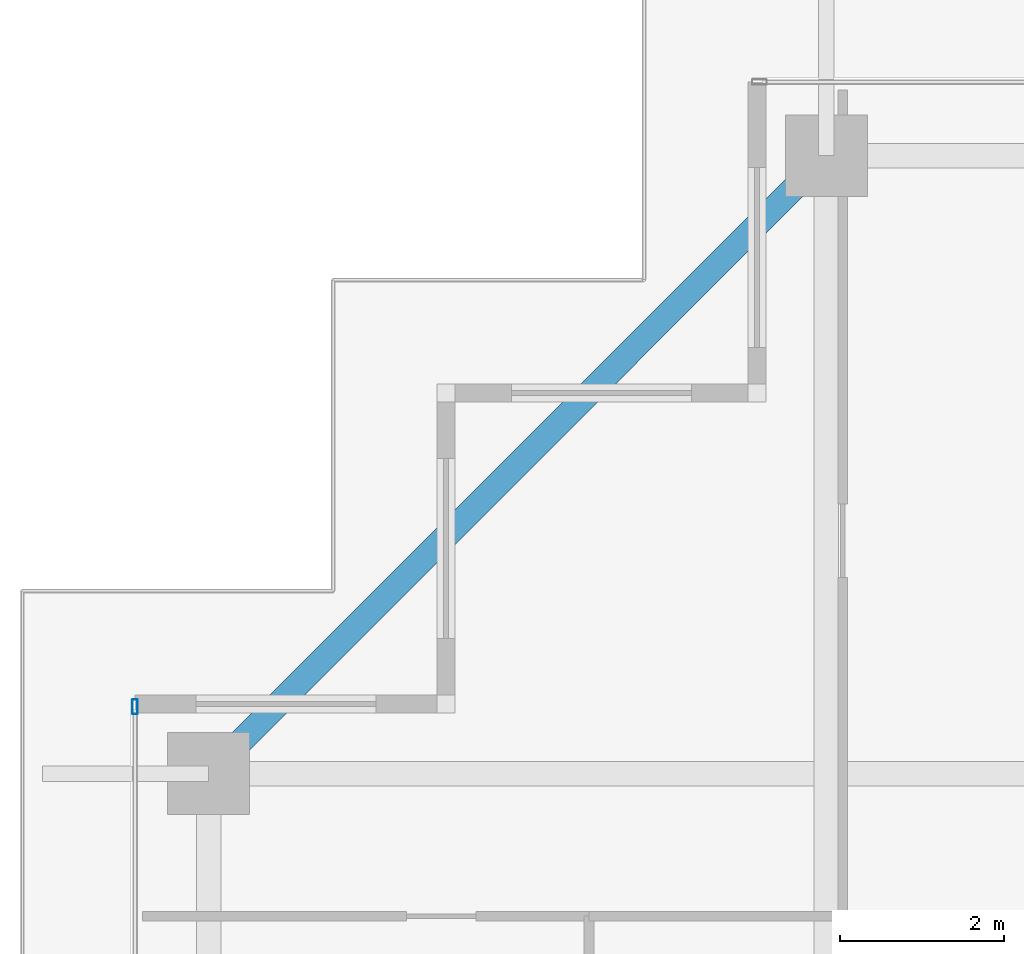
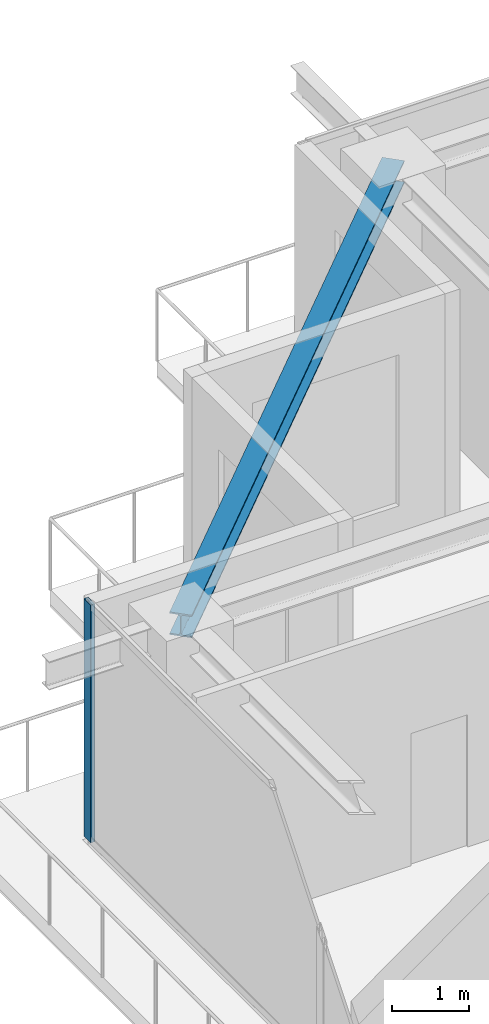
# One storey, part 21 of 42: 1 beam, 1 member, 1 element without a shape of its own.
"""IFC4 building model written with IfcOpenShell, lengths in metres."""

from ifc_helpers import new_model, si_unit, direction, frame, origin, origin_2d, place, context, subcontext, project, spatial, hollow_rectangle, i_section, extrude, source, transform, mapped, material, layer, layer_set, material_profile, profile_set, type_object, element, aggregate, save


model = new_model("IFC4")

# Units and contexts
model_context = context("Model", 3, precision=1e-05, world=origin(), true_north=direction((0.0, 1.0)))
body_context = subcontext(model_context, "Body", "Model", "MODEL_VIEW")
ifc_project = project(units=[si_unit("LENGTHUNIT", "METRE"), si_unit("AREAUNIT", "SQUARE_METRE"), si_unit("VOLUMEUNIT", "CUBIC_METRE"), si_unit("PLANEANGLEUNIT", "RADIAN"), si_unit("MASSUNIT", "GRAM", prefix="KILO")], contexts=[model_context])

# Site, building, storey
site_placement = place(None, origin())
site = spatial("IfcSite", under=ifc_project, at=site_placement, CompositionType="ELEMENT")
building_placement = place(site_placement, origin())
building = spatial("IfcBuilding", under=site, at=building_placement, Name="Serunith Strait Residences", CompositionType="ELEMENT")
storey_placement = place(building_placement, frame((0.0, 0.0, 309.64990234375)))
storey = spatial("IfcBuildingStorey", under=building, at=storey_placement, Name="L77", CompositionType="ELEMENT", Elevation=309.64990234375)

# Beam
ifc_material_1 = material(Name="Steel S355J2", Category="steel")
ifc_material_profile_1 = material_profile(ifc_material_1, i_section(OverallWidth=0.300048828125, OverallDepth=0.360107421875, WebThickness=0.012451171875, FlangeThickness=0.0224609375, FilletRadius=0.027099609375, at=origin_2d()), Name="HEB 360")
ifc_profile_set_1 = profile_set([ifc_material_profile_1], Name="Steel S355J2")
beam_type = type_object("IfcBeamType", Name="BM-HEB360", PredefinedType="BEAM", material=ifc_profile_set_1)
shared_shape_1 = source(origin(), body_context, "Body", "SweptSolid", [
    extrude(i_section(OverallWidth=0.300048828125, OverallDepth=0.360107421875, WebThickness=0.012451171875, FlangeThickness=0.0224609375, FilletRadius=0.027099609375, at=origin_2d()), origin(), (0.0, 0.0, 1.0), 10.67724609375),
])
beam_placement = place(storey_placement, frame((17.64990234375, 47.10009765625, 3.5771484375), z_axis=(-0.707095348302, -0.707118213887, 0.0), x_axis=(0.707118213887, -0.707095348302, 0.0)))
element("IfcBeam", 1, at=beam_placement, inside=storey, type_object=beam_type, Name="L77 Perimeter Ring Beam 12", PredefinedType="BEAM", context=body_context, shape_type="MappedRepresentation", body=[
    mapped(shared_shape_1, transform((0.0, 0.0, 0.0), scale=1.0)),
])

# Curtain wall, member
ifc_material_2 = material(Name="Brushed Stainless-Silver Aluminium", Category="aluminium")
ifc_layer = layer(ifc_material_2, 0.199951171875, Name="Brushed Stainless-Silver Aluminium")
ifc_layer_set = layer_set([ifc_layer], Name="Brushed Stainless-Silver Aluminium")
curtain_wall_type = type_object("IfcCurtainWallType", Name="CW-SYS5", PredefinedType="NOTDEFINED", material=ifc_layer_set)
curtain_wall_placement = place(storey_placement, origin())
curtain_wall = element("IfcCurtainWall", 2, at=curtain_wall_placement, inside=storey, type_object=curtain_wall_type, Name="L77 W Unitised Fritted Curtain Wall", PredefinedType="NOTDEFINED")
ifc_material_profile_2 = material_profile(ifc_material_2, hollow_rectangle(XDim=0.06494140625, YDim=0.179931640625, WallThickness=0.00341796875, InnerFilletRadius=0.00537109375, OuterFilletRadius=0.0087890625, at=origin_2d()), Name="ALU 180x65x3.5")
ifc_profile_set_2 = profile_set([ifc_material_profile_2], Name="Brushed Stainless-Silver Aluminium")
member_type = type_object("IfcMemberType", Name="CW-SYS5-MULL", PredefinedType="MULLION", material=ifc_profile_set_2)
shared_shape_2 = source(origin(), body_context, "Body", "SweptSolid", [
    extrude(hollow_rectangle(XDim=0.06494140625, YDim=0.179931640625, WallThickness=0.00341796875, InnerFilletRadius=0.00537109375, OuterFilletRadius=0.0087890625, at=origin_2d()), origin(), (0.0, 0.0, 1.0), 3.775146484375),
])
member_placement = place(storey_placement, frame((9.199951171875, 40.367431640625, 0.0), z_axis=(0.0, 0.0, 1.0), x_axis=(1.0, 0.0, 0.0)))
member = element("IfcMember", 3, at=member_placement, type_object=member_type, Name="CW-5 mullion 1", PredefinedType="MULLION", context=body_context, shape_type="MappedRepresentation", body=[
    mapped(shared_shape_2, transform((0.0, 0.0, 0.0), scale=1.0)),
])
aggregate(curtain_wall, [member])

save(model, "model.ifc")
